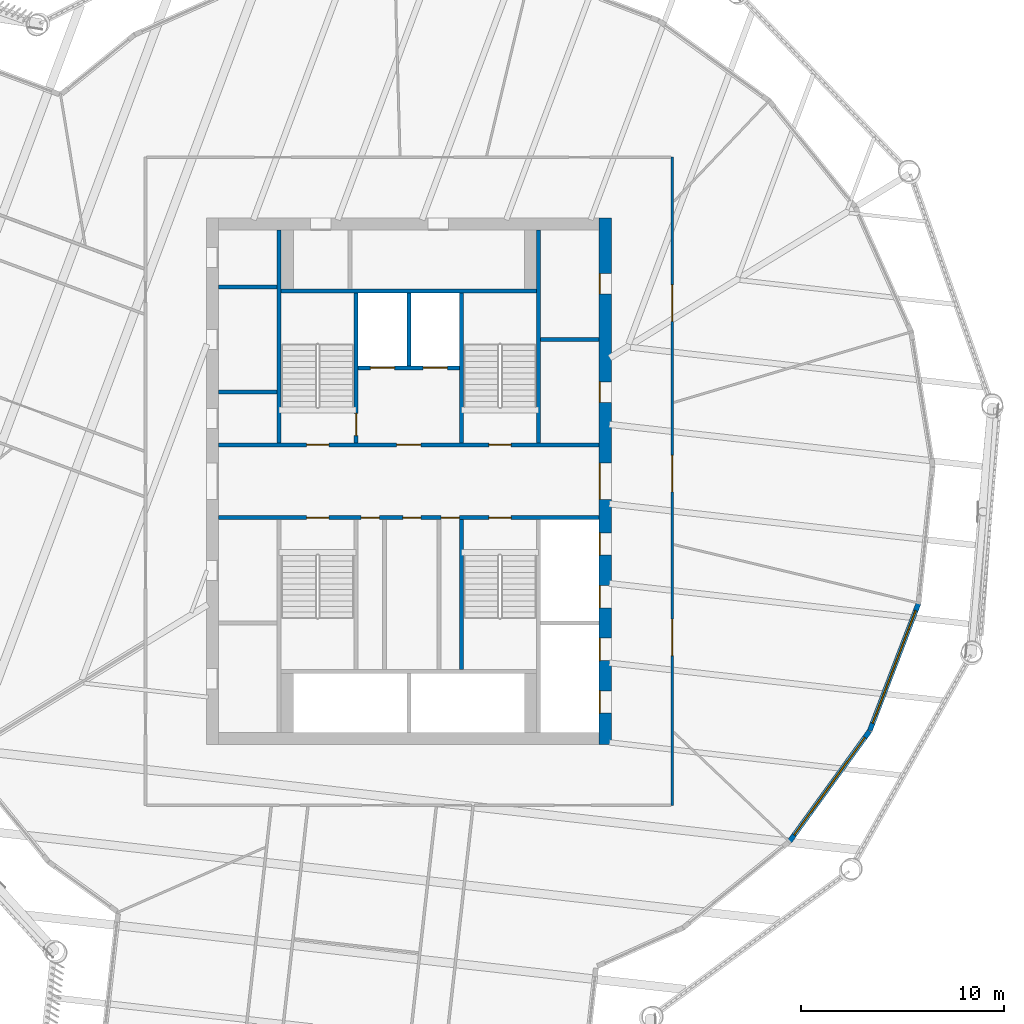
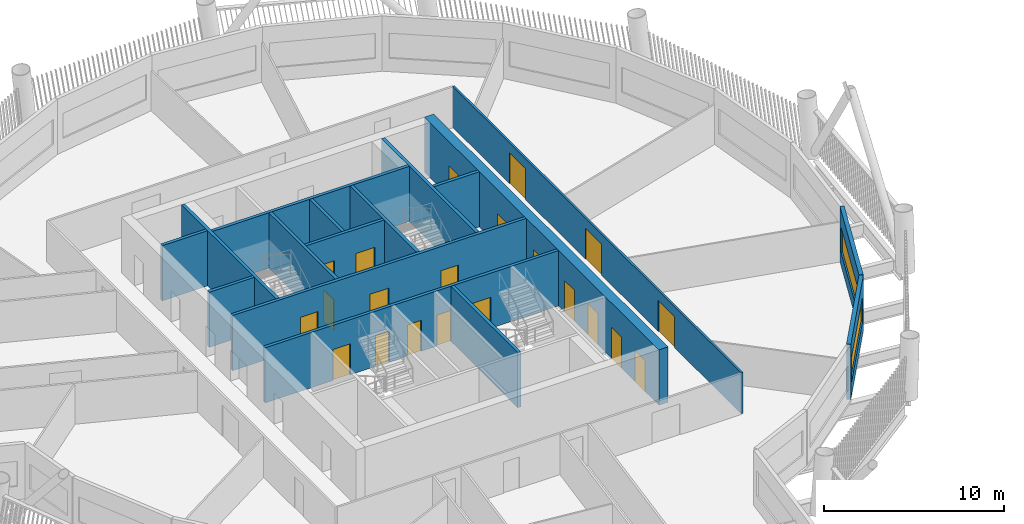
# One storey, part 5 of 22: 21 doors, 17 walls, 2 windows, 23 openings.
"""IFC4 building model written with IfcOpenShell, lengths in metres."""

from ifc_helpers import new_model, si_unit, direction, frame, frame_2d, origin, place, context, subcontext, project, spatial, rectangle, extrude, material, layer, layer_set, type_object, element, fill, save


model = new_model("IFC4")

# Units and contexts
model_context = context("Model", 3, precision=1e-05, world=origin(), true_north=direction((0.0, 1.0)))
body_context = subcontext(model_context, "Body", "Model", "MODEL_VIEW")
ifc_project = project(units=[si_unit("LENGTHUNIT", "METRE"), si_unit("AREAUNIT", "SQUARE_METRE"), si_unit("VOLUMEUNIT", "CUBIC_METRE"), si_unit("PLANEANGLEUNIT", "RADIAN"), si_unit("MASSUNIT", "GRAM", prefix="KILO")], contexts=[model_context])

# Site, building, storey
site_placement = place(None, origin())
site = spatial("IfcSite", under=ifc_project, at=site_placement, CompositionType="ELEMENT")
building_placement = place(site_placement, origin())
building = spatial("IfcBuilding", under=site, at=building_placement, Name="Tarsis Ring Headquarters", CompositionType="ELEMENT")
storey_placement = place(building_placement, frame((0.0, 0.0, 200.39990234375)))
storey = spatial("IfcBuildingStorey", under=building, at=storey_placement, Name="L46", CompositionType="ELEMENT", Elevation=200.39990234375)

# Walls
ifc_material_1 = material(Name="Blockwork", Category="masonry")
ifc_layer_1 = layer(ifc_material_1, 0.199951171875)
ifc_layer_set_1 = layer_set([ifc_layer_1], Name="Core blockwork wall 200")
wall_type_1 = type_object("IfcWallType", Name="Core blockwork wall 200", PredefinedType="PARTITIONING", material=ifc_layer_set_1)
for number, where, z_axis, x_axis, name in (
    (1, (-9.39990234375, 4.39990234375, 0.0), (0.0, 0.0, 1.0), (1.0, 0.0, 0.0), "Core partition WD5"),
    (2, (-9.39990234375, 9.60009765625, 0.0), (0.0, 0.0, 1.0), (1.0, 0.0, 0.0), "Core partition WD7"),
    (3, (6.5, 7.0, 0.0), (0.0, 0.0, 1.0), (1.0, 0.0, 0.0), "Core partition ED6"),
):
    element("IfcWall", number, at=place(storey_placement, frame(where, z_axis=z_axis, x_axis=x_axis)), inside=storey, type_object=wall_type_1, Name=name, PredefinedType="PARTITIONING", context=body_context, shape_type="SweptSolid", body=[
        extrude(rectangle(XDim=2.89990234375, YDim=0.199951171875, at=frame_2d((1.449951171875, 0.0))), origin(), (0.0, 0.0, 1.0), 3.739990234375),
    ])

# Wall, openings, doors
ifc_material_2 = material(Name="Concrete C50/60", Category="concrete")
ifc_layer_2 = layer(ifc_material_2, 0.60009765625)
ifc_layer_set_2 = layer_set([ifc_layer_2], Name="Core wall 600 C50/60")
wall_type_2 = type_object("IfcWallType", Name="Core wall 600 C50/60", PredefinedType="SHEAR", material=ifc_layer_set_2)
wall_1_placement = place(storey_placement, frame((9.699951171875, -13.0, 0.0), z_axis=(0.0, 0.0, 1.0), x_axis=(0.0, 1.0, 0.0)))
wall_1 = element("IfcWall", 4, at=wall_1_placement, inside=storey, type_object=wall_type_2, Name="Core wall OE", PredefinedType="SHEAR", context=body_context, shape_type="SweptSolid", body=[
    extrude(rectangle(XDim=26.0, YDim=0.60009765625, at=frame_2d((13.0, 0.0))), origin(), (0.0, 0.0, 1.0), 3.739990234375),
])
opening_1_placement = place(wall_1_placement, frame((1.550048828125, 0.0, 0.0)))
opening_1 = element("IfcOpeningElement", 5, at=opening_1_placement, cuts=wall_1, Name="Opening LD-MR1", PredefinedType="OPENING", context=body_context, shape_type="SweptSolid", body=[
    extrude(rectangle(XDim=1.10009765625, YDim=2.10009765625, at=frame_2d((0.550048828125, 1.050048828125))), frame((0.0, 0.31005859375, 0.0), z_axis=(0.0, -1.0, 0.0), x_axis=(1.0, 0.0, 0.0)), (0.0, 0.0, 1.0), 0.6201171875),
])
opening_2_placement = place(wall_1_placement, frame((4.14990234375, 0.0, 0.0)))
opening_2 = element("IfcOpeningElement", 6, at=opening_2_placement, cuts=wall_1, Name="Opening LD-MR2", PredefinedType="OPENING", context=body_context, shape_type="SweptSolid", body=[
    extrude(rectangle(XDim=1.10009765625, YDim=2.10009765625, at=frame_2d((0.550048828125, 1.050048828125))), frame((0.0, 0.31005859375, 0.0), z_axis=(0.0, -1.0, 0.0), x_axis=(1.0, 0.0, 0.0)), (0.0, 0.0, 1.0), 0.6201171875),
])
opening_3_placement = place(wall_1_placement, frame((6.75, 0.0, 0.0)))
opening_3 = element("IfcOpeningElement", 7, at=opening_3_placement, cuts=wall_1, Name="Opening LD-MR3", PredefinedType="OPENING", context=body_context, shape_type="SweptSolid", body=[
    extrude(rectangle(XDim=1.10009765625, YDim=2.10009765625, at=frame_2d((0.550048828125, 1.050048828125))), frame((0.0, 0.31005859375, 0.0), z_axis=(0.0, -1.0, 0.0), x_axis=(1.0, 0.0, 0.0)), (0.0, 0.0, 1.0), 0.6201171875),
])
opening_4_placement = place(wall_1_placement, frame((9.35009765625, 0.0, 0.0)))
opening_4 = element("IfcOpeningElement", 8, at=opening_4_placement, cuts=wall_1, Name="Opening LD-MR4", PredefinedType="OPENING", context=body_context, shape_type="SweptSolid", body=[
    extrude(rectangle(XDim=1.10009765625, YDim=2.10009765625, at=frame_2d((0.550048828125, 1.050048828125))), frame((0.0, 0.31005859375, 0.0), z_axis=(0.0, -1.0, 0.0), x_axis=(1.0, 0.0, 0.0)), (0.0, 0.0, 1.0), 0.6201171875),
])
opening_5_placement = place(wall_1_placement, frame((12.10009765625, 0.0, 0.0)))
opening_5 = element("IfcOpeningElement", 9, at=opening_5_placement, cuts=wall_1, Name="Opening L46-C11", PredefinedType="OPENING", context=body_context, shape_type="SweptSolid", body=[
    extrude(rectangle(XDim=1.800048828125, YDim=2.10009765625, at=frame_2d((0.89990234375, 1.050048828125))), frame((0.0, 0.31005859375, 0.0), z_axis=(0.0, -1.0, 0.0), x_axis=(1.0, 0.0, 0.0)), (0.0, 0.0, 1.0), 0.6201171875),
])
opening_6_placement = place(wall_1_placement, frame((16.89990234375, 0.0, 0.0)))
opening_6 = element("IfcOpeningElement", 10, at=opening_6_placement, cuts=wall_1, Name="Opening L46-C12", PredefinedType="OPENING", context=body_context, shape_type="SweptSolid", body=[
    extrude(rectangle(XDim=1.0, YDim=2.10009765625, at=frame_2d((0.5, 1.050048828125))), frame((0.0, 0.31005859375, 0.0), z_axis=(0.0, -1.0, 0.0), x_axis=(1.0, 0.0, 0.0)), (0.0, 0.0, 1.0), 0.6201171875),
])
opening_7_placement = place(wall_1_placement, frame((22.25, 0.0, 0.0)))
opening_7 = element("IfcOpeningElement", 11, at=opening_7_placement, cuts=wall_1, Name="Opening L46-C13", PredefinedType="OPENING", context=body_context, shape_type="SweptSolid", body=[
    extrude(rectangle(XDim=1.0, YDim=2.10009765625, at=frame_2d((0.5, 1.050048828125))), frame((0.0, 0.31005859375, 0.0), z_axis=(0.0, -1.0, 0.0), x_axis=(1.0, 0.0, 0.0)), (0.0, 0.0, 1.0), 0.6201171875),
])
ifc_material_3 = material(Name="Steel S355", Category="steel")
door_type_1 = type_object("IfcDoorType", Name="Core entry door 1800x2100", OperationType="DOUBLE_DOOR_SINGLE_SWING", PredefinedType="DOOR", material=ifc_material_3)
door_1_placement = place(opening_5_placement, origin())
door_1 = element("IfcDoor", 12, at=door_1_placement, inside=storey, type_object=door_type_1, Name="Core entry door L46", OperationType="DOUBLE_DOOR_SINGLE_SWING", OverallHeight=2.10009765625, OverallWidth=1.800048828125, PredefinedType="DOOR", context=body_context, shape_type="SweptSolid", body=[
    extrude(rectangle(XDim=1.800048828125, YDim=2.10009765625, at=frame_2d((0.89990234375, 1.050048828125))), frame((0.0, 0.2998046875, 0.0), z_axis=(0.0, -1.0, 0.0), x_axis=(1.0, 0.0, 0.0)), (0.0, 0.0, 1.0), 0.050048828125),
])
fill(opening_5, door_1)
door_type_2 = type_object("IfcDoorType", Name="Core room door 1000x2100", OperationType="SINGLE_SWING_LEFT", PredefinedType="DOOR", material=ifc_material_3)
door_2_placement = place(opening_6_placement, origin())
door_2 = element("IfcDoor", 13, at=door_2_placement, inside=storey, type_object=door_type_2, Name="Core room door L46", OperationType="SINGLE_SWING_LEFT", OverallHeight=2.10009765625, OverallWidth=1.0, PredefinedType="DOOR", context=body_context, shape_type="SweptSolid", body=[
    extrude(rectangle(XDim=1.0, YDim=2.10009765625, at=frame_2d((0.5, 1.050048828125))), frame((0.0, 0.2998046875, 0.0), z_axis=(0.0, -1.0, 0.0), x_axis=(1.0, 0.0, 0.0)), (0.0, 0.0, 1.0), 0.050048828125),
])
fill(opening_6, door_2)
door_3_placement = place(opening_7_placement, origin())
door_3 = element("IfcDoor", 14, at=door_3_placement, inside=storey, type_object=door_type_2, Name="Core room door L46", OperationType="SINGLE_SWING_LEFT", OverallHeight=2.10009765625, OverallWidth=1.0, PredefinedType="DOOR", context=body_context, shape_type="SweptSolid", body=[
    extrude(rectangle(XDim=1.0, YDim=2.10009765625, at=frame_2d((0.5, 1.050048828125))), frame((0.0, 0.2998046875, 0.0), z_axis=(0.0, -1.0, 0.0), x_axis=(1.0, 0.0, 0.0)), (0.0, 0.0, 1.0), 0.050048828125),
])
fill(opening_7, door_3)
door_type_3 = type_object("IfcDoorType", Name="Landing door 1100x2100", OperationType="SLIDING_TO_LEFT", PredefinedType="DOOR", material=ifc_material_3)
door_4_placement = place(opening_1_placement, origin())
door_4 = element("IfcDoor", 15, at=door_4_placement, inside=storey, type_object=door_type_3, Name="Landing door MR1 L46", OperationType="SLIDING_TO_LEFT", OverallHeight=2.10009765625, OverallWidth=1.10009765625, PredefinedType="DOOR", context=body_context, shape_type="SweptSolid", body=[
    extrude(rectangle(XDim=1.10009765625, YDim=2.10009765625, at=frame_2d((0.550048828125, 1.050048828125))), frame((0.0, 0.2998046875, 0.0), z_axis=(0.0, -1.0, 0.0), x_axis=(1.0, 0.0, 0.0)), (0.0, 0.0, 1.0), 0.050048828125),
])
fill(opening_1, door_4)
door_5_placement = place(opening_2_placement, origin())
door_5 = element("IfcDoor", 16, at=door_5_placement, inside=storey, type_object=door_type_3, Name="Landing door MR2 L46", OperationType="SLIDING_TO_LEFT", OverallHeight=2.10009765625, OverallWidth=1.10009765625, PredefinedType="DOOR", context=body_context, shape_type="SweptSolid", body=[
    extrude(rectangle(XDim=1.10009765625, YDim=2.10009765625, at=frame_2d((0.550048828125, 1.050048828125))), frame((0.0, 0.2998046875, 0.0), z_axis=(0.0, -1.0, 0.0), x_axis=(1.0, 0.0, 0.0)), (0.0, 0.0, 1.0), 0.050048828125),
])
fill(opening_2, door_5)
door_6_placement = place(opening_3_placement, origin())
door_6 = element("IfcDoor", 17, at=door_6_placement, inside=storey, type_object=door_type_3, Name="Landing door MR3 L46", OperationType="SLIDING_TO_LEFT", OverallHeight=2.10009765625, OverallWidth=1.10009765625, PredefinedType="DOOR", context=body_context, shape_type="SweptSolid", body=[
    extrude(rectangle(XDim=1.10009765625, YDim=2.10009765625, at=frame_2d((0.550048828125, 1.050048828125))), frame((0.0, 0.2998046875, 0.0), z_axis=(0.0, -1.0, 0.0), x_axis=(1.0, 0.0, 0.0)), (0.0, 0.0, 1.0), 0.050048828125),
])
fill(opening_3, door_6)
door_7_placement = place(opening_4_placement, origin())
door_7 = element("IfcDoor", 18, at=door_7_placement, inside=storey, type_object=door_type_3, Name="Landing door MR4 L46", OperationType="SLIDING_TO_LEFT", OverallHeight=2.10009765625, OverallWidth=1.10009765625, PredefinedType="DOOR", context=body_context, shape_type="SweptSolid", body=[
    extrude(rectangle(XDim=1.10009765625, YDim=2.10009765625, at=frame_2d((0.550048828125, 1.050048828125))), frame((0.0, 0.2998046875, 0.0), z_axis=(0.0, -1.0, 0.0), x_axis=(1.0, 0.0, 0.0)), (0.0, 0.0, 1.0), 0.050048828125),
])
fill(opening_4, door_7)

ifc_material_4 = material(Name="Gypsum board on steel studs", Category="steel")
ifc_layer_3 = layer(ifc_material_4, 0.125)
ifc_layer_set_3 = layer_set([ifc_layer_3], Name="FL partition 125 EI 60 H2770")
wall_type_3 = type_object("IfcWallType", Name="FL partition 125 EI 60 H2770", PredefinedType="PARTITIONING", material=ifc_layer_set_3)
wall_2_placement = place(storey_placement, frame((13.0, -16.0, 0.0), z_axis=(0.0, 0.0, 1.0), x_axis=(0.0, 1.0, 0.0)))
wall_2 = element("IfcWall", 19, at=wall_2_placement, inside=storey, type_object=wall_type_3, Name="Partition PW1", PredefinedType="PARTITIONING", context=body_context, shape_type="SweptSolid", body=[
    extrude(rectangle(XDim=32.0, YDim=0.125, at=frame_2d((16.0, 0.0))), origin(), (0.0, 0.0, 1.0), 2.77001953125),
])
opening_8_placement = place(wall_2_placement, frame((23.896728515625, 0.0, 0.0)))
opening_8 = element("IfcOpeningElement", 20, at=opening_8_placement, cuts=wall_2, Name="Opening D46.07", PredefinedType="OPENING", context=body_context, shape_type="SweptSolid", body=[
    extrude(rectangle(XDim=1.800048828125, YDim=2.10009765625, at=frame_2d((0.89990234375, 1.050048828125))), frame((0.0, 0.072509765625, 0.0), z_axis=(0.0, -1.0, 0.0), x_axis=(1.0, 0.0, 0.0)), (0.0, 0.0, 1.0), 0.14501953125),
])
opening_9_placement = place(wall_2_placement, frame((15.4794921875, 0.0, 0.0)))
opening_9 = element("IfcOpeningElement", 21, at=opening_9_placement, cuts=wall_2, Name="Opening D46.08", PredefinedType="OPENING", context=body_context, shape_type="SweptSolid", body=[
    extrude(rectangle(XDim=1.800048828125, YDim=2.10009765625, at=frame_2d((0.89990234375, 1.050048828125))), frame((0.0, 0.072509765625, 0.0), z_axis=(0.0, -1.0, 0.0), x_axis=(1.0, 0.0, 0.0)), (0.0, 0.0, 1.0), 0.14501953125),
])
opening_10_placement = place(wall_2_placement, frame((7.391357421875, 0.0, 0.0)))
opening_10 = element("IfcOpeningElement", 22, at=opening_10_placement, cuts=wall_2, Name="Opening D46.09", PredefinedType="OPENING", context=body_context, shape_type="SweptSolid", body=[
    extrude(rectangle(XDim=1.800048828125, YDim=2.10009765625, at=frame_2d((0.89990234375, 1.050048828125))), frame((0.0, 0.072509765625, 0.0), z_axis=(0.0, -1.0, 0.0), x_axis=(1.0, 0.0, 0.0)), (0.0, 0.0, 1.0), 0.14501953125),
])
ifc_material_5 = material(Name="Fire-rated timber door leaf in steel frame", Category="steel")
door_type_4 = type_object("IfcDoorType", Name="FL door FD60-1800", OperationType="DOUBLE_DOOR_SINGLE_SWING", PredefinedType="DOOR", material=ifc_material_5)
door_8_placement = place(opening_8_placement, origin())
door_8 = element("IfcDoor", 23, at=door_8_placement, inside=storey, type_object=door_type_4, Name="Door D46.07", OperationType="DOUBLE_DOOR_SINGLE_SWING", OverallHeight=2.10009765625, OverallWidth=1.800048828125, PredefinedType="DOOR", context=body_context, shape_type="SweptSolid", body=[
    extrude(rectangle(XDim=1.800048828125, YDim=2.10009765625, at=frame_2d((0.89990234375, 1.050048828125))), frame((0.0, 0.02490234375, 0.0), z_axis=(0.0, -1.0, 0.0), x_axis=(1.0, 0.0, 0.0)), (0.0, 0.0, 1.0), 0.050048828125),
])
fill(opening_8, door_8)
door_9_placement = place(opening_9_placement, origin())
door_9 = element("IfcDoor", 24, at=door_9_placement, inside=storey, type_object=door_type_4, Name="Door D46.08", OperationType="DOUBLE_DOOR_SINGLE_SWING", OverallHeight=2.10009765625, OverallWidth=1.800048828125, PredefinedType="DOOR", context=body_context, shape_type="SweptSolid", body=[
    extrude(rectangle(XDim=1.800048828125, YDim=2.10009765625, at=frame_2d((0.89990234375, 1.050048828125))), frame((0.0, 0.02490234375, 0.0), z_axis=(0.0, -1.0, 0.0), x_axis=(1.0, 0.0, 0.0)), (0.0, 0.0, 1.0), 0.050048828125),
])
fill(opening_9, door_9)
door_10_placement = place(opening_10_placement, origin())
door_10 = element("IfcDoor", 25, at=door_10_placement, inside=storey, type_object=door_type_4, Name="Door D46.09", OperationType="DOUBLE_DOOR_SINGLE_SWING", OverallHeight=2.10009765625, OverallWidth=1.800048828125, PredefinedType="DOOR", context=body_context, shape_type="SweptSolid", body=[
    extrude(rectangle(XDim=1.800048828125, YDim=2.10009765625, at=frame_2d((0.89990234375, 1.050048828125))), frame((0.0, 0.02490234375, 0.0), z_axis=(0.0, -1.0, 0.0), x_axis=(1.0, 0.0, 0.0)), (0.0, 0.0, 1.0), 0.050048828125),
])
fill(opening_10, door_10)

# Wall, opening, window
ifc_material_6 = material(Name="Terracotta clad insulated panel wall", Category="masonry")
ifc_layer_4 = layer(ifc_material_6, 0.25)
ifc_layer_set_4 = layer_set([ifc_layer_4], Name="Facade wall terracotta panel 250")
wall_type_4 = type_object("IfcWallType", Name="Facade wall terracotta panel 250", PredefinedType="STANDARD", material=ifc_layer_set_4)
wall_3_placement = place(storey_placement, frame((18.796630859375, -17.77734375, 0.0), z_axis=(0.0, 0.0, 1.0), x_axis=(0.586937810592, 0.80963201919, 0.0)))
wall_3 = element("IfcWall", 26, at=wall_3_placement, inside=storey, type_object=wall_type_4, Name="External wall L46-19", PredefinedType="STANDARD", context=body_context, shape_type="SweptSolid", body=[
    extrude(rectangle(XDim=6.721435546875, YDim=0.25, at=frame_2d((3.36083984375, 0.0))), origin(), (0.0, 0.0, 1.0), 3.739990234375),
])
opening_11_placement = place(wall_3_placement, frame((0.3857421875, 0.0, 0.89990234375)))
opening_11 = element("IfcOpeningElement", 27, at=opening_11_placement, cuts=wall_3, Name="Opening WN07", PredefinedType="OPENING", context=body_context, shape_type="SweptSolid", body=[
    extrude(rectangle(XDim=5.949951171875, YDim=1.699951171875, at=frame_2d((2.97509765625, 0.85009765625))), frame((0.0, 0.135009765625, 0.0), z_axis=(0.0, -1.0, 0.0), x_axis=(1.0, 0.0, 0.0)), (0.0, 0.0, 1.0), 0.27001953125),
])
ifc_material_7 = material(Name="Aluminium framed double glazing", Category="aluminium")
window_type = type_object("IfcWindowType", Name="Facade window 5950 x 1700", PartitioningType="SINGLE_PANEL", PredefinedType="WINDOW", material=ifc_material_7)
window_1_placement = place(opening_11_placement, origin())
window_1 = element("IfcWindow", 28, at=window_1_placement, inside=storey, type_object=window_type, Name="Window L46-19.1", OverallHeight=1.699951171875, OverallWidth=5.949951171875, PartitioningType="SINGLE_PANEL", PredefinedType="WINDOW", context=body_context, shape_type="SweptSolid", body=[
    extrude(rectangle(XDim=5.949951171875, YDim=1.699951171875, at=frame_2d((2.97509765625, 0.85009765625))), frame((0.0, 0.030029296875, 0.0), z_axis=(0.0, -1.0, 0.0), x_axis=(1.0, 0.0, 0.0)), (0.0, 0.0, 1.0), 0.06005859375),
])
fill(opening_11, window_1)

wall_4_placement = place(storey_placement, frame((22.75732421875, -12.306884765625, 0.0), z_axis=(0.0, 0.0, 1.0), x_axis=(0.357364867882, 0.933964855444, 0.0)))
wall_4 = element("IfcWall", 29, at=wall_4_placement, inside=storey, type_object=wall_type_4, Name="External wall L46-20", PredefinedType="STANDARD", context=body_context, shape_type="SweptSolid", body=[
    extrude(rectangle(XDim=6.7216796875, YDim=0.25, at=frame_2d((3.36083984375, 0.0))), origin(), (0.0, 0.0, 1.0), 3.739990234375),
])
opening_12_placement = place(wall_4_placement, frame((0.3857421875, 0.0, 0.89990234375)))
opening_12 = element("IfcOpeningElement", 30, at=opening_12_placement, cuts=wall_4, Name="Opening WN07", PredefinedType="OPENING", context=body_context, shape_type="SweptSolid", body=[
    extrude(rectangle(XDim=5.949951171875, YDim=1.699951171875, at=frame_2d((2.97509765625, 0.85009765625))), frame((0.0, 0.135009765625, 0.0), z_axis=(0.0, -1.0, 0.0), x_axis=(1.0, 0.0, 0.0)), (0.0, 0.0, 1.0), 0.27001953125),
])
window_2_placement = place(opening_12_placement, origin())
window_2 = element("IfcWindow", 31, at=window_2_placement, inside=storey, type_object=window_type, Name="Window L46-20.1", OverallHeight=1.699951171875, OverallWidth=5.949951171875, PartitioningType="SINGLE_PANEL", PredefinedType="WINDOW", context=body_context, shape_type="SweptSolid", body=[
    extrude(rectangle(XDim=5.949951171875, YDim=1.699951171875, at=frame_2d((2.97509765625, 0.85009765625))), frame((0.0, 0.030029296875, 0.0), z_axis=(0.0, -1.0, 0.0), x_axis=(1.0, 0.0, 0.0)), (0.0, 0.0, 1.0), 0.06005859375),
])
fill(opening_12, window_2)

# Wall, openings, doors
ifc_material_8 = material(Name="Concrete C32/40", Category="concrete")
ifc_layer_5 = layer(ifc_material_8, 0.199951171875)
ifc_layer_set_5 = layer_set([ifc_layer_5], Name="Shaft wall 200 C32/40")
wall_type_5 = type_object("IfcWallType", Name="Shaft wall 200 C32/40", PredefinedType="SOLIDWALL", material=ifc_layer_set_5)
wall_5_placement = place(storey_placement, frame((-9.39990234375, 1.800048828125, 0.0), z_axis=(0.0, 0.0, 1.0), x_axis=(1.0, 0.0, 0.0)))
wall_5 = element("IfcWall", 32, at=wall_5_placement, inside=storey, type_object=wall_type_5, Name="Core shaft wall CN", PredefinedType="SOLIDWALL", context=body_context, shape_type="SweptSolid", body=[
    extrude(rectangle(XDim=18.7998046875, YDim=0.199951171875, at=frame_2d((9.39990234375, 0.0))), origin(), (0.0, 0.0, 1.0), 3.739990234375),
])
opening_13_placement = place(wall_5_placement, frame((4.35009765625, 0.0, 0.0)))
opening_13 = element("IfcOpeningElement", 33, at=opening_13_placement, cuts=wall_5, Name="Opening L46-C16", PredefinedType="OPENING", context=body_context, shape_type="SweptSolid", body=[
    extrude(rectangle(XDim=1.10009765625, YDim=2.10009765625, at=frame_2d((0.550048828125, 1.050048828125))), frame((0.0, 0.10986328125, 0.0), z_axis=(0.0, -1.0, 0.0), x_axis=(1.0, 0.0, 0.0)), (0.0, 0.0, 1.0), 0.219970703125),
])
opening_14_placement = place(wall_5_placement, frame((8.800048828125, 0.0, 0.0)))
opening_14 = element("IfcOpeningElement", 34, at=opening_14_placement, cuts=wall_5, Name="Opening L46-C17", PredefinedType="OPENING", context=body_context, shape_type="SweptSolid", body=[
    extrude(rectangle(XDim=1.199951171875, YDim=2.10009765625, at=frame_2d((0.60009765625, 1.050048828125))), frame((0.0, 0.10986328125, 0.0), z_axis=(0.0, -1.0, 0.0), x_axis=(1.0, 0.0, 0.0)), (0.0, 0.0, 1.0), 0.219970703125),
])
opening_15_placement = place(wall_5_placement, frame((13.35009765625, 0.0, 0.0)))
opening_15 = element("IfcOpeningElement", 35, at=opening_15_placement, cuts=wall_5, Name="Opening L46-C18", PredefinedType="OPENING", context=body_context, shape_type="SweptSolid", body=[
    extrude(rectangle(XDim=1.10009765625, YDim=2.10009765625, at=frame_2d((0.550048828125, 1.050048828125))), frame((0.0, 0.10986328125, 0.0), z_axis=(0.0, -1.0, 0.0), x_axis=(1.0, 0.0, 0.0)), (0.0, 0.0, 1.0), 0.219970703125),
])
door_type_5 = type_object("IfcDoorType", Name="Firefighting lobby door 1200x2100", OperationType="DOUBLE_DOOR_SINGLE_SWING", PredefinedType="DOOR", material=ifc_material_3)
door_11_placement = place(opening_14_placement, origin())
door_11 = element("IfcDoor", 36, at=door_11_placement, inside=storey, type_object=door_type_5, Name="Firefighting lobby door L46", OperationType="DOUBLE_DOOR_SINGLE_SWING", OverallHeight=2.10009765625, OverallWidth=1.199951171875, PredefinedType="DOOR", context=body_context, shape_type="SweptSolid", body=[
    extrude(rectangle(XDim=1.199951171875, YDim=2.10009765625, at=frame_2d((0.60009765625, 1.050048828125))), frame((0.0, 0.02490234375, 0.0), z_axis=(0.0, -1.0, 0.0), x_axis=(1.0, 0.0, 0.0)), (0.0, 0.0, 1.0), 0.050048828125),
])
fill(opening_14, door_11)
door_type_6 = type_object("IfcDoorType", Name="Stair door 1100x2100", OperationType="SINGLE_SWING_LEFT", PredefinedType="DOOR", material=ifc_material_3)
door_12_placement = place(opening_13_placement, origin())
door_12 = element("IfcDoor", 37, at=door_12_placement, inside=storey, type_object=door_type_6, Name="Stair door L46", OperationType="SINGLE_SWING_LEFT", OverallHeight=2.10009765625, OverallWidth=1.10009765625, PredefinedType="DOOR", context=body_context, shape_type="SweptSolid", body=[
    extrude(rectangle(XDim=1.10009765625, YDim=2.10009765625, at=frame_2d((0.550048828125, 1.050048828125))), frame((0.0, 0.02490234375, 0.0), z_axis=(0.0, -1.0, 0.0), x_axis=(1.0, 0.0, 0.0)), (0.0, 0.0, 1.0), 0.050048828125),
])
fill(opening_13, door_12)
door_13_placement = place(opening_15_placement, origin())
door_13 = element("IfcDoor", 38, at=door_13_placement, inside=storey, type_object=door_type_6, Name="Stair door L46", OperationType="SINGLE_SWING_LEFT", OverallHeight=2.10009765625, OverallWidth=1.10009765625, PredefinedType="DOOR", context=body_context, shape_type="SweptSolid", body=[
    extrude(rectangle(XDim=1.10009765625, YDim=2.10009765625, at=frame_2d((0.550048828125, 1.050048828125))), frame((0.0, 0.02490234375, 0.0), z_axis=(0.0, -1.0, 0.0), x_axis=(1.0, 0.0, 0.0)), (0.0, 0.0, 1.0), 0.050048828125),
])
fill(opening_15, door_13)

wall_6_placement = place(storey_placement, frame((-9.39990234375, -1.800048828125, 0.0), z_axis=(0.0, 0.0, 1.0), x_axis=(1.0, 0.0, 0.0)))
wall_6 = element("IfcWall", 39, at=wall_6_placement, inside=storey, type_object=wall_type_5, Name="Core shaft wall CS", PredefinedType="SOLIDWALL", context=body_context, shape_type="SweptSolid", body=[
    extrude(rectangle(XDim=18.7998046875, YDim=0.199951171875, at=frame_2d((9.39990234375, 0.0))), origin(), (0.0, 0.0, 1.0), 3.739990234375),
])
opening_16_placement = place(wall_6_placement, frame((4.35009765625, 0.0, 0.0)))
opening_16 = element("IfcOpeningElement", 40, at=opening_16_placement, cuts=wall_6, Name="Opening L46-C19", PredefinedType="OPENING", context=body_context, shape_type="SweptSolid", body=[
    extrude(rectangle(XDim=1.10009765625, YDim=2.10009765625, at=frame_2d((0.550048828125, 1.050048828125))), frame((0.0, 0.10986328125, 0.0), z_axis=(0.0, -1.0, 0.0), x_axis=(1.0, 0.0, 0.0)), (0.0, 0.0, 1.0), 0.219970703125),
])
opening_17_placement = place(wall_6_placement, frame((7.050048828125, 0.0, 0.0)))
opening_17 = element("IfcOpeningElement", 41, at=opening_17_placement, cuts=wall_6, Name="Opening L46-C20", PredefinedType="OPENING", context=body_context, shape_type="SweptSolid", body=[
    extrude(rectangle(XDim=0.89990234375, YDim=2.10009765625, at=frame_2d((0.449951171875, 1.050048828125))), frame((0.0, 0.10986328125, 0.0), z_axis=(0.0, -1.0, 0.0), x_axis=(1.0, 0.0, 0.0)), (0.0, 0.0, 1.0), 0.219970703125),
])
opening_18_placement = place(wall_6_placement, frame((9.10009765625, 0.0, 0.0)))
opening_18 = element("IfcOpeningElement", 42, at=opening_18_placement, cuts=wall_6, Name="Opening L46-C21", PredefinedType="OPENING", context=body_context, shape_type="SweptSolid", body=[
    extrude(rectangle(XDim=0.89990234375, YDim=2.10009765625, at=frame_2d((0.449951171875, 1.050048828125))), frame((0.0, 0.10986328125, 0.0), z_axis=(0.0, -1.0, 0.0), x_axis=(1.0, 0.0, 0.0)), (0.0, 0.0, 1.0), 0.219970703125),
])
opening_19_placement = place(wall_6_placement, frame((11.0, 0.0, 0.0)))
opening_19 = element("IfcOpeningElement", 43, at=opening_19_placement, cuts=wall_6, Name="Opening L46-C22", PredefinedType="OPENING", context=body_context, shape_type="SweptSolid", body=[
    extrude(rectangle(XDim=0.89990234375, YDim=2.10009765625, at=frame_2d((0.449951171875, 1.050048828125))), frame((0.0, 0.10986328125, 0.0), z_axis=(0.0, -1.0, 0.0), x_axis=(1.0, 0.0, 0.0)), (0.0, 0.0, 1.0), 0.219970703125),
])
opening_20_placement = place(wall_6_placement, frame((13.35009765625, 0.0, 0.0)))
opening_20 = element("IfcOpeningElement", 44, at=opening_20_placement, cuts=wall_6, Name="Opening L46-C23", PredefinedType="OPENING", context=body_context, shape_type="SweptSolid", body=[
    extrude(rectangle(XDim=1.10009765625, YDim=2.10009765625, at=frame_2d((0.550048828125, 1.050048828125))), frame((0.0, 0.10986328125, 0.0), z_axis=(0.0, -1.0, 0.0), x_axis=(1.0, 0.0, 0.0)), (0.0, 0.0, 1.0), 0.219970703125),
])
door_14_placement = place(opening_16_placement, origin())
door_14 = element("IfcDoor", 45, at=door_14_placement, inside=storey, type_object=door_type_6, Name="Stair door L46", OperationType="SINGLE_SWING_LEFT", OverallHeight=2.10009765625, OverallWidth=1.10009765625, PredefinedType="DOOR", context=body_context, shape_type="SweptSolid", body=[
    extrude(rectangle(XDim=1.10009765625, YDim=2.10009765625, at=frame_2d((0.550048828125, 1.050048828125))), frame((0.0, 0.02490234375, 0.0), z_axis=(0.0, -1.0, 0.0), x_axis=(1.0, 0.0, 0.0)), (0.0, 0.0, 1.0), 0.050048828125),
])
fill(opening_16, door_14)
door_15_placement = place(opening_20_placement, origin())
door_15 = element("IfcDoor", 46, at=door_15_placement, inside=storey, type_object=door_type_6, Name="Stair door L46", OperationType="SINGLE_SWING_LEFT", OverallHeight=2.10009765625, OverallWidth=1.10009765625, PredefinedType="DOOR", context=body_context, shape_type="SweptSolid", body=[
    extrude(rectangle(XDim=1.10009765625, YDim=2.10009765625, at=frame_2d((0.550048828125, 1.050048828125))), frame((0.0, 0.02490234375, 0.0), z_axis=(0.0, -1.0, 0.0), x_axis=(1.0, 0.0, 0.0)), (0.0, 0.0, 1.0), 0.050048828125),
])
fill(opening_20, door_15)
door_type_7 = type_object("IfcDoorType", Name="WC door 900x2100", OperationType="SINGLE_SWING_LEFT", PredefinedType="DOOR", material=ifc_material_3)
door_16_placement = place(opening_17_placement, origin())
door_16 = element("IfcDoor", 47, at=door_16_placement, inside=storey, type_object=door_type_7, Name="WC door L46", OperationType="SINGLE_SWING_LEFT", OverallHeight=2.10009765625, OverallWidth=0.89990234375, PredefinedType="DOOR", context=body_context, shape_type="SweptSolid", body=[
    extrude(rectangle(XDim=0.89990234375, YDim=2.10009765625, at=frame_2d((0.449951171875, 1.050048828125))), frame((0.0, 0.02490234375, 0.0), z_axis=(0.0, -1.0, 0.0), x_axis=(1.0, 0.0, 0.0)), (0.0, 0.0, 1.0), 0.050048828125),
])
fill(opening_17, door_16)
door_17_placement = place(opening_18_placement, origin())
door_17 = element("IfcDoor", 48, at=door_17_placement, inside=storey, type_object=door_type_7, Name="WC door L46", OperationType="SINGLE_SWING_LEFT", OverallHeight=2.10009765625, OverallWidth=0.89990234375, PredefinedType="DOOR", context=body_context, shape_type="SweptSolid", body=[
    extrude(rectangle(XDim=0.89990234375, YDim=2.10009765625, at=frame_2d((0.449951171875, 1.050048828125))), frame((0.0, 0.02490234375, 0.0), z_axis=(0.0, -1.0, 0.0), x_axis=(1.0, 0.0, 0.0)), (0.0, 0.0, 1.0), 0.050048828125),
])
fill(opening_18, door_17)
door_18_placement = place(opening_19_placement, origin())
door_18 = element("IfcDoor", 49, at=door_18_placement, inside=storey, type_object=door_type_7, Name="WC door L46", OperationType="SINGLE_SWING_LEFT", OverallHeight=2.10009765625, OverallWidth=0.89990234375, PredefinedType="DOOR", context=body_context, shape_type="SweptSolid", body=[
    extrude(rectangle(XDim=0.89990234375, YDim=2.10009765625, at=frame_2d((0.449951171875, 1.050048828125))), frame((0.0, 0.02490234375, 0.0), z_axis=(0.0, -1.0, 0.0), x_axis=(1.0, 0.0, 0.0)), (0.0, 0.0, 1.0), 0.050048828125),
])
fill(opening_19, door_18)

# Walls
for number, where, z_axis, x_axis, name in (
    (50, (-6.39990234375, 1.89990234375, 0.0), (0.0, 0.0, 1.0), (0.0, 1.0, 0.0), "Core shaft wall WB2"),
    (51, (6.39990234375, 1.89990234375, 0.0), (0.0, 0.0, 1.0), (0.0, 1.0, 0.0), "Core shaft wall EB2"),
):
    element("IfcWall", number, at=place(storey_placement, frame(where, z_axis=z_axis, x_axis=x_axis)), inside=storey, type_object=wall_type_5, Name=name, PredefinedType="SOLIDWALL", context=body_context, shape_type="SweptSolid", body=[
        extrude(rectangle(XDim=10.5, YDim=0.199951171875, at=frame_2d((5.25, 0.0))), origin(), (0.0, 0.0, 1.0), 3.739990234375),
    ])
wall_7_placement = place(storey_placement, frame((-6.300048828125, 9.39990234375, 0.0), z_axis=(0.0, 0.0, 1.0), x_axis=(1.0, 0.0, 0.0)))
element("IfcWall", 52, at=wall_7_placement, inside=storey, type_object=wall_type_5, Name="Core shaft wall NB", PredefinedType="SOLIDWALL", context=body_context, shape_type="SweptSolid", body=[
    extrude(rectangle(XDim=12.60009765625, YDim=0.199951171875, at=frame_2d((6.300048828125, 0.0))), origin(), (0.0, 0.0, 1.0), 3.739990234375),
])

# Wall, opening, door
wall_8_placement = place(storey_placement, frame((-2.60009765625, 1.89990234375, 0.0), z_axis=(0.0, 0.0, 1.0), x_axis=(0.0, 1.0, 0.0)))
wall_8 = element("IfcWall", 53, at=wall_8_placement, inside=storey, type_object=wall_type_5, Name="Core shaft wall SW1", PredefinedType="SOLIDWALL", context=body_context, shape_type="SweptSolid", body=[
    extrude(rectangle(XDim=7.400146484375, YDim=0.199951171875, at=frame_2d((3.7001953125, 0.0))), origin(), (0.0, 0.0, 1.0), 3.739990234375),
])
opening_21_placement = place(wall_8_placement, frame((0.35009765625, 0.0, 0.0)))
opening_21 = element("IfcOpeningElement", 54, at=opening_21_placement, cuts=wall_8, Name="Opening L46-C24", PredefinedType="OPENING", context=body_context, shape_type="SweptSolid", body=[
    extrude(rectangle(XDim=1.10009765625, YDim=2.10009765625, at=frame_2d((0.550048828125, 1.050048828125))), frame((0.0, 0.10986328125, 0.0), z_axis=(0.0, -1.0, 0.0), x_axis=(1.0, 0.0, 0.0)), (0.0, 0.0, 1.0), 0.219970703125),
])
door_19_placement = place(opening_21_placement, origin())
door_19 = element("IfcDoor", 55, at=door_19_placement, inside=storey, type_object=door_type_6, Name="Stair door L46", OperationType="SINGLE_SWING_LEFT", OverallHeight=2.10009765625, OverallWidth=1.10009765625, PredefinedType="DOOR", context=body_context, shape_type="SweptSolid", body=[
    extrude(rectangle(XDim=1.10009765625, YDim=2.10009765625, at=frame_2d((0.550048828125, 1.050048828125))), frame((0.0, 0.02490234375, 0.0), z_axis=(0.0, -1.0, 0.0), x_axis=(1.0, 0.0, 0.0)), (0.0, 0.0, 1.0), 0.050048828125),
])
fill(opening_21, door_19)

# Walls
for number, where, z_axis, x_axis, name in (
    (56, (2.60009765625, 1.89990234375, 0.0), (0.0, 0.0, 1.0), (0.0, 1.0, 0.0), "Core shaft wall SW2"),
    (57, (2.60009765625, -9.300048828125, 0.0), (0.0, 0.0, 1.0), (0.0, 1.0, 0.0), "Core shaft wall SW4"),
):
    element("IfcWall", number, at=place(storey_placement, frame(where, z_axis=z_axis, x_axis=x_axis)), inside=storey, type_object=wall_type_5, Name=name, PredefinedType="SOLIDWALL", context=body_context, shape_type="SweptSolid", body=[
        extrude(rectangle(XDim=7.400146484375, YDim=0.199951171875, at=frame_2d((3.7001953125, 0.0))), origin(), (0.0, 0.0, 1.0), 3.739990234375),
    ])

# Wall, openings, doors
wall_9_placement = place(storey_placement, frame((-2.5, 5.60009765625, 0.0), z_axis=(0.0, 0.0, 1.0), x_axis=(1.0, 0.0, 0.0)))
wall_9 = element("IfcWall", 58, at=wall_9_placement, inside=storey, type_object=wall_type_5, Name="Core shaft wall FFN", PredefinedType="SOLIDWALL", context=body_context, shape_type="SweptSolid", body=[
    extrude(rectangle(XDim=5.0, YDim=0.199951171875, at=frame_2d((2.5, 0.0))), origin(), (0.0, 0.0, 1.0), 3.739990234375),
])
opening_22_placement = place(wall_9_placement, frame((0.60009765625, 0.0, 0.0)))
opening_22 = element("IfcOpeningElement", 59, at=opening_22_placement, cuts=wall_9, Name="Opening LDF-1", PredefinedType="OPENING", context=body_context, shape_type="SweptSolid", body=[
    extrude(rectangle(XDim=1.199951171875, YDim=2.10009765625, at=frame_2d((0.60009765625, 1.050048828125))), frame((0.0, 0.10986328125, 0.0), z_axis=(0.0, -1.0, 0.0), x_axis=(1.0, 0.0, 0.0)), (0.0, 0.0, 1.0), 0.219970703125),
])
opening_23_placement = place(wall_9_placement, frame((3.199951171875, 0.0, 0.0)))
opening_23 = element("IfcOpeningElement", 60, at=opening_23_placement, cuts=wall_9, Name="Opening LDF-2", PredefinedType="OPENING", context=body_context, shape_type="SweptSolid", body=[
    extrude(rectangle(XDim=1.199951171875, YDim=2.10009765625, at=frame_2d((0.60009765625, 1.050048828125))), frame((0.0, 0.10986328125, 0.0), z_axis=(0.0, -1.0, 0.0), x_axis=(1.0, 0.0, 0.0)), (0.0, 0.0, 1.0), 0.219970703125),
])
door_type_8 = type_object("IfcDoorType", Name="Firefighting landing door 1200x2100", OperationType="SLIDING_TO_LEFT", PredefinedType="DOOR", material=ifc_material_3)
door_20_placement = place(opening_22_placement, origin())
door_20 = element("IfcDoor", 61, at=door_20_placement, inside=storey, type_object=door_type_8, Name="Landing door FF1 L46", OperationType="SLIDING_TO_LEFT", OverallHeight=2.10009765625, OverallWidth=1.199951171875, PredefinedType="DOOR", context=body_context, shape_type="SweptSolid", body=[
    extrude(rectangle(XDim=1.199951171875, YDim=2.10009765625, at=frame_2d((0.60009765625, 1.050048828125))), frame((0.0, 0.02490234375, 0.0), z_axis=(0.0, -1.0, 0.0), x_axis=(1.0, 0.0, 0.0)), (0.0, 0.0, 1.0), 0.050048828125),
])
fill(opening_22, door_20)
door_21_placement = place(opening_23_placement, origin())
door_21 = element("IfcDoor", 62, at=door_21_placement, inside=storey, type_object=door_type_8, Name="Landing door FF2 L46", OperationType="SLIDING_TO_LEFT", OverallHeight=2.10009765625, OverallWidth=1.199951171875, PredefinedType="DOOR", context=body_context, shape_type="SweptSolid", body=[
    extrude(rectangle(XDim=1.199951171875, YDim=2.10009765625, at=frame_2d((0.60009765625, 1.050048828125))), frame((0.0, 0.02490234375, 0.0), z_axis=(0.0, -1.0, 0.0), x_axis=(1.0, 0.0, 0.0)), (0.0, 0.0, 1.0), 0.050048828125),
])
fill(opening_23, door_21)

# Wall
wall_10_placement = place(storey_placement, frame((0.0, 5.699951171875, 0.0), z_axis=(0.0, 0.0, 1.0), x_axis=(0.0, 1.0, 0.0)))
element("IfcWall", 63, at=wall_10_placement, inside=storey, type_object=wall_type_5, Name="Core shaft wall FFD", PredefinedType="SOLIDWALL", context=body_context, shape_type="SweptSolid", body=[
    extrude(rectangle(XDim=3.60009765625, YDim=0.199951171875, at=frame_2d((1.800048828125, 0.0))), origin(), (0.0, 0.0, 1.0), 3.739990234375),
])

save(model, "model.ifc")
